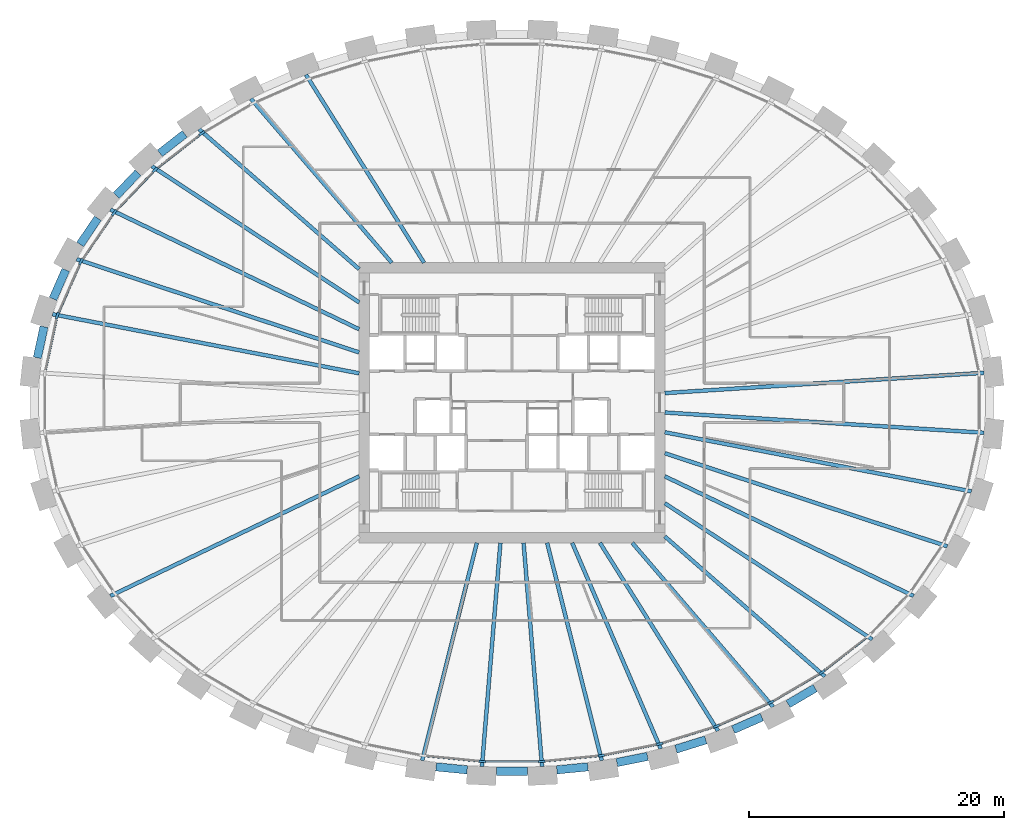
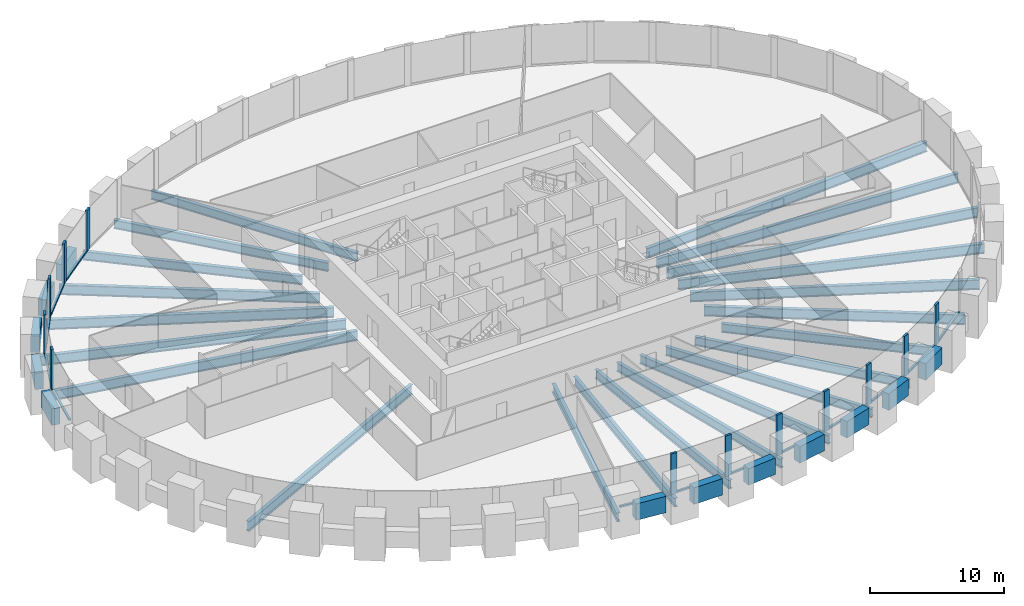
# One storey, part 2 of 10: 34 beams, 25 members, 1 element without a shape of its own.
"""IFC4 building model written with IfcOpenShell, lengths in metres."""

from ifc_helpers import new_model, si_unit, direction, frame, origin, origin_2d, place, context, subcontext, project, spatial, rectangle, i_section, extrude, source, transform, mapped, material, material_profile, profile_set, type_object, element, aggregate, save


model = new_model("IFC4")

# Units and contexts
model_context = context("Model", 3, precision=1e-05, world=origin(), true_north=direction((0.0, 1.0)))
body_context = subcontext(model_context, "Body", "Model", "MODEL_VIEW")
ifc_project = project(units=[si_unit("LENGTHUNIT", "METRE"), si_unit("AREAUNIT", "SQUARE_METRE"), si_unit("VOLUMEUNIT", "CUBIC_METRE"), si_unit("PLANEANGLEUNIT", "RADIAN"), si_unit("MASSUNIT", "GRAM", prefix="KILO")], contexts=[model_context])

# Site, building, storey
site_placement = place(None, origin())
site = spatial("IfcSite", under=ifc_project, at=site_placement, CompositionType="ELEMENT")
building_placement = place(site_placement, origin())
building = spatial("IfcBuilding", under=site, at=building_placement, Name="Embergate Tower", CompositionType="ELEMENT")
storey_placement = place(building_placement, frame((0.0, 0.0, 156.0)))
storey = spatial("IfcBuildingStorey", under=building, at=storey_placement, Name="L34", CompositionType="ELEMENT", Elevation=156.0)

# Beams
ifc_material_1 = material(Name="Concrete C70", Category="concrete")
ifc_material_profile_1 = material_profile(ifc_material_1, rectangle(XDim=0.64990234375, YDim=1.5, at=origin_2d()), Name="RC 650x1500")
ifc_profile_set_1 = profile_set([ifc_material_profile_1], Name="Concrete C70")
beam_type_1 = type_object("IfcBeamType", Name="Spandrel beam RC 650x1500 C70", PredefinedType="BEAM", material=ifc_profile_set_1)
shared_shape_1 = source(origin(), body_context, "Body", "SweptSolid", [
    extrude(rectangle(XDim=0.64990234375, YDim=1.5, at=origin_2d()), origin(), (0.0, 0.0, 1.0), 2.490966796875),
])
beam_1_placement = place(storey_placement, frame((-36.748046875, 5.968017578125, 0.0), z_axis=(-0.210720345789, -0.977546385534, 0.0), x_axis=(0.977546385534, -0.210720345789, 0.0)))
element("IfcBeam", 1, at=beam_1_placement, inside=storey, type_object=beam_type_1, Name="SPN-L34-20", PredefinedType="BEAM", context=body_context, shape_type="MappedRepresentation", body=[
    mapped(shared_shape_1, transform((0.0, 0.0, 0.0))),
])
shared_shape_2 = source(origin(), body_context, "Body", "SweptSolid", [
    extrude(rectangle(XDim=0.64990234375, YDim=1.5, at=origin_2d()), origin(), (0.0, 0.0, 1.0), 2.48828125),
])
beam_2_placement = place(storey_placement, frame((-35.0419921875, 10.43505859375, 0.0), z_axis=(-0.401472379967, -0.91587113074, 0.0), x_axis=(0.91587113074, -0.401472379967, 0.0)))
element("IfcBeam", 2, at=beam_2_placement, inside=storey, type_object=beam_type_1, Name="SPN-L34-19", PredefinedType="BEAM", context=body_context, shape_type="MappedRepresentation", body=[
    mapped(shared_shape_2, transform((0.0, 0.0, 0.0))),
])
shared_shape_3 = source(origin(), body_context, "Body", "SweptSolid", [
    extrude(rectangle(XDim=0.64990234375, YDim=1.5, at=origin_2d()), origin(), (0.0, 0.0, 1.0), 2.4775390625),
])
beam_3_placement = place(storey_placement, frame((-32.51806640625, 14.486083984375, 0.0), z_axis=(-0.562159078618, -0.827029123022, 0.0), x_axis=(0.827029123022, -0.562159078618, 0.0)))
element("IfcBeam", 3, at=beam_3_placement, inside=storey, type_object=beam_type_1, Name="SPN-L34-18", PredefinedType="BEAM", context=body_context, shape_type="MappedRepresentation", body=[
    mapped(shared_shape_3, transform((0.0, 0.0, 0.0))),
])
shared_shape_4 = source(origin(), body_context, "Body", "SweptSolid", [
    extrude(rectangle(XDim=0.64990234375, YDim=1.5, at=origin_2d()), origin(), (0.0, 0.0, 1.0), 2.473388671875),
])
beam_4_placement = place(storey_placement, frame((-29.364990234375, 18.06494140625, 0.0), z_axis=(-0.69012823406, -0.723687101276, 0.0), x_axis=(0.723687101276, -0.69012823406, 0.0)))
element("IfcBeam", 4, at=beam_4_placement, inside=storey, type_object=beam_type_1, Name="SPN-L34-17", PredefinedType="BEAM", context=body_context, shape_type="MappedRepresentation", body=[
    mapped(shared_shape_4, transform((0.0, 0.0, 0.0))),
])
shared_shape_5 = source(origin(), body_context, "Body", "SweptSolid", [
    extrude(rectangle(XDim=0.64990234375, YDim=1.5, at=origin_2d()), origin(), (0.0, 0.0, 1.0), 2.466552734375),
])
beam_5_placement = place(storey_placement, frame((-25.702880859375, 21.112060546875, 0.0), z_axis=(-0.788172909908, -0.615453868367, 0.0), x_axis=(0.615453868367, -0.788172909908, 0.0)))
element("IfcBeam", 5, at=beam_5_placement, inside=storey, type_object=beam_type_1, Name="SPN-L34-16", PredefinedType="BEAM", context=body_context, shape_type="MappedRepresentation", body=[
    mapped(shared_shape_5, transform((0.0, 0.0, 0.0))),
])
shared_shape_6 = source(origin(), body_context, "Body", "SweptSolid", [
    extrude(rectangle(XDim=0.64990234375, YDim=1.5, at=origin_2d()), origin(), (0.0, 0.0, 1.0), 2.46142578125),
])
beam_6_placement = place(storey_placement, frame((21.678955078125, -23.652099609375, 0.0), z_axis=(0.86214832468, 0.506655964389, 0.0), x_axis=(-0.506655964389, 0.86214832468, 0.0)))
element("IfcBeam", 6, at=beam_6_placement, inside=storey, type_object=beam_type_1, Name="SPN-L34-37", PredefinedType="BEAM", context=body_context, shape_type="MappedRepresentation", body=[
    mapped(shared_shape_6, transform((0.0, 0.0, 0.0))),
])
shared_shape_7 = source(origin(), body_context, "Body", "SweptSolid", [
    extrude(rectangle(XDim=0.64990234375, YDim=1.5, at=origin_2d()), origin(), (0.0, 0.0, 1.0), 2.456787109375),
])
beam_7_placement = place(storey_placement, frame((17.3701171875, -25.6640625, 0.0), z_axis=(0.916257660854, 0.40058943936, 0.0), x_axis=(-0.40058943936, 0.916257660854, 0.0)))
element("IfcBeam", 7, at=beam_7_placement, inside=storey, type_object=beam_type_1, Name="SPN-L34-36", PredefinedType="BEAM", context=body_context, shape_type="MappedRepresentation", body=[
    mapped(shared_shape_7, transform((0.0, 0.0, 0.0))),
])
shared_shape_8 = source(origin(), body_context, "Body", "SweptSolid", [
    extrude(rectangle(XDim=0.64990234375, YDim=1.5, at=origin_2d()), origin(), (0.0, 0.0, 1.0), 2.4541015625),
])
beam_8_placement = place(storey_placement, frame((12.8720703125, -27.197998046875, 0.0), z_axis=(0.954736297307, 0.29745353016, 0.0), x_axis=(-0.29745353016, 0.954736297307, 0.0)))
element("IfcBeam", 8, at=beam_8_placement, inside=storey, type_object=beam_type_1, Name="SPN-L34-35", PredefinedType="BEAM", context=body_context, shape_type="MappedRepresentation", body=[
    mapped(shared_shape_8, transform((0.0, 0.0, 0.0))),
])
shared_shape_9 = source(origin(), body_context, "Body", "SweptSolid", [
    extrude(rectangle(XDim=0.64990234375, YDim=1.5, at=origin_2d()), origin(), (0.0, 0.0, 1.0), 2.453125),
])
beam_9_placement = place(storey_placement, frame((8.238037109375, -28.2490234375, 0.0), z_axis=(0.980431102511, 0.196862523679, 0.0), x_axis=(-0.196862523679, 0.980431102511, 0.0)))
element("IfcBeam", 9, at=beam_9_placement, inside=storey, type_object=beam_type_1, Name="SPN-L34-34", PredefinedType="BEAM", context=body_context, shape_type="MappedRepresentation", body=[
    mapped(shared_shape_9, transform((0.0, 0.0, 0.0))),
])
shared_shape_10 = source(origin(), body_context, "Body", "SweptSolid", [
    extrude(rectangle(XDim=0.64990234375, YDim=1.5, at=origin_2d()), origin(), (0.0, 0.0, 1.0), 2.45166015625),
])
for number, where, z_axis, x_axis, name in (
    (10, (-5.962890625, -28.587890625, 0.0), (0.995197569904, -0.097886653113, 0.0), (0.097886653113, 0.995197569904, 0.0), "SPN-L34-31"),
    (11, (3.52294921875, -28.827880859375, 0.0), (0.995197569904, 0.097886653113, 0.0), (-0.097886653113, 0.995197569904, 0.0), "SPN-L34-33"),
):
    element("IfcBeam", number, at=place(storey_placement, frame(where, z_axis=z_axis, x_axis=x_axis)), inside=storey, type_object=beam_type_1, Name=name, PredefinedType="BEAM", context=body_context, shape_type="MappedRepresentation", body=[
        mapped(shared_shape_10, transform((0.0, 0.0, 0.0))),
    ])
shared_shape_11 = source(origin(), body_context, "Body", "SweptSolid", [
    extrude(rectangle(XDim=0.64990234375, YDim=1.5, at=origin_2d()), origin(), (0.0, 0.0, 1.0), 2.4521484375),
])
beam_10_placement = place(storey_placement, frame((-1.22607421875, -28.94091796875, 0.0), z_axis=(1.0, 0.0, 0.0), x_axis=(0.0, 1.0, 0.0)))
element("IfcBeam", 12, at=beam_10_placement, inside=storey, type_object=beam_type_1, Name="SPN-L34-32", PredefinedType="BEAM", context=body_context, shape_type="MappedRepresentation", body=[
    mapped(shared_shape_11, transform((0.0, 0.0, 0.0))),
])
ifc_material_2 = material(Name="Steel Q355B", Category="steel")
ifc_material_profile_2 = material_profile(ifc_material_2, i_section(OverallWidth=0.300048828125, OverallDepth=0.89990234375, WebThickness=0.01611328125, FlangeThickness=0.028076171875, FilletRadius=0.028076171875, at=origin_2d()), Name="HN 900x300x16x28")
ifc_profile_set_2 = profile_set([ifc_material_profile_2], Name="Steel Q355 grade B")
beam_type_2 = type_object("IfcBeamType", Name="Radial girder HN 900x300x16x28", PredefinedType="BEAM", material=ifc_profile_set_2)
shared_shape_12 = source(origin(), body_context, "Body", "SweptSolid", [
    extrude(i_section(OverallWidth=0.300048828125, OverallDepth=0.89990234375, WebThickness=0.01611328125, FlangeThickness=0.028076171875, FilletRadius=0.028076171875, at=origin_2d()), origin(), (0.0, 0.0, 1.0), 25.12158203125),
])
for number, where, z_axis, x_axis, name in (
    (13, (37.071044921875, 2.35498046875, -0.64990234375), (-0.9979874177, -0.063412255217, 0.0), (0.063412255217, -0.9979874177, 0.0), "GIR-L34-00"),
    (14, (37.071044921875, -2.35498046875, -0.64990234375), (-0.9979874177, 0.063412255217, 0.0), (-0.063412255217, -0.9979874177, 0.0), "GIR-L34-43"),
):
    element("IfcBeam", number, at=place(storey_placement, frame(where, z_axis=z_axis, x_axis=x_axis)), inside=storey, type_object=beam_type_2, Name=name, PredefinedType="BEAM", context=body_context, shape_type="MappedRepresentation", body=[
        mapped(shared_shape_12, transform((0.0, 0.0, 0.0))),
    ])
shared_shape_13 = source(origin(), body_context, "Body", "SweptSolid", [
    extrude(i_section(OverallWidth=0.300048828125, OverallDepth=0.89990234375, WebThickness=0.01611328125, FlangeThickness=0.028076171875, FilletRadius=0.028076171875, at=origin_2d()), origin(), (0.0, 0.0, 1.0), 24.52392578125),
])
for number, where, z_axis, x_axis, name in (
    (15, (-36.080078125, 6.958984375, -0.64990234375), (0.981906046022, -0.189368732333, 0.0), (0.189368732333, 0.981906046022, 0.0), "GIR-L34-20"),
    (16, (36.080078125, -6.958984375, -0.64990234375), (-0.981906046022, 0.189368732333, 0.0), (-0.189368732333, -0.981906046022, 0.0), "GIR-L34-42"),
):
    element("IfcBeam", number, at=place(storey_placement, frame(where, z_axis=z_axis, x_axis=x_axis)), inside=storey, type_object=beam_type_2, Name=name, PredefinedType="BEAM", context=body_context, shape_type="MappedRepresentation", body=[
        mapped(shared_shape_13, transform((0.0, 0.0, 0.0))),
    ])
shared_shape_14 = source(origin(), body_context, "Body", "SweptSolid", [
    extrude(i_section(OverallWidth=0.300048828125, OverallDepth=0.89990234375, WebThickness=0.01611328125, FlangeThickness=0.028076171875, FilletRadius=0.028076171875, at=origin_2d()), origin(), (0.0, 0.0, 1.0), 23.36328125),
])
for number, where, z_axis, x_axis, name in (
    (17, (-34.18798828125, 11.27490234375, -0.64990234375), (0.949694119995, -0.313178987877, 0.0), (0.313178987877, 0.949694119995, 0.0), "GIR-L34-19"),
    (18, (34.18798828125, -11.27490234375, -0.64990234375), (-0.949694119995, 0.313178987877, 0.0), (-0.313178987877, -0.949694119995, 0.0), "GIR-L34-41"),
):
    element("IfcBeam", number, at=place(storey_placement, frame(where, z_axis=z_axis, x_axis=x_axis)), inside=storey, type_object=beam_type_2, Name=name, PredefinedType="BEAM", context=body_context, shape_type="MappedRepresentation", body=[
        mapped(shared_shape_14, transform((0.0, 0.0, 0.0))),
    ])
shared_shape_15 = source(origin(), body_context, "Body", "SweptSolid", [
    extrude(i_section(OverallWidth=0.300048828125, OverallDepth=0.89990234375, WebThickness=0.01611328125, FlangeThickness=0.028076171875, FilletRadius=0.028076171875, at=origin_2d()), origin(), (0.0, 0.0, 1.0), 21.680419921875),
])
for number, where, z_axis, x_axis, name in (
    (19, (-31.537109375, 15.172119140625, -0.64990234375), (0.90113839793, -0.433531530315, 0.0), (0.433531530315, 0.90113839793, 0.0), "GIR-L34-18"),
    (20, (-31.537109375, -15.172119140625, -0.64990234375), (0.90113839793, 0.433531530315, 0.0), (-0.433531530315, 0.90113839793, 0.0), "GIR-L34-25"),
    (21, (31.537109375, -15.172119140625, -0.64990234375), (-0.90113839793, 0.433531530315, 0.0), (-0.433531530315, -0.90113839793, 0.0), "GIR-L34-40"),
):
    element("IfcBeam", number, at=place(storey_placement, frame(where, z_axis=z_axis, x_axis=x_axis)), inside=storey, type_object=beam_type_2, Name=name, PredefinedType="BEAM", context=body_context, shape_type="MappedRepresentation", body=[
        mapped(shared_shape_15, transform((0.0, 0.0, 0.0))),
    ])
shared_shape_16 = source(origin(), body_context, "Body", "SweptSolid", [
    extrude(i_section(OverallWidth=0.300048828125, OverallDepth=0.89990234375, WebThickness=0.01611328125, FlangeThickness=0.028076171875, FilletRadius=0.028076171875, at=origin_2d()), origin(), (0.0, 0.0, 1.0), 19.484130859375),
])
for number, where, z_axis, x_axis, name in (
    (22, (-28.283935546875, 18.5830078125, -0.64990234375), (0.835750168369, -0.549109876137, 0.0), (0.549109876137, 0.835750168369, 0.0), "GIR-L34-17"),
    (23, (28.283935546875, -18.5830078125, -0.64990234375), (-0.835750168369, 0.549109876137, 0.0), (-0.549109876137, -0.835750168369, 0.0), "GIR-L34-39"),
):
    element("IfcBeam", number, at=place(storey_placement, frame(where, z_axis=z_axis, x_axis=x_axis)), inside=storey, type_object=beam_type_2, Name=name, PredefinedType="BEAM", context=body_context, shape_type="MappedRepresentation", body=[
        mapped(shared_shape_16, transform((0.0, 0.0, 0.0))),
    ])
ifc_material_profile_3 = material_profile(ifc_material_2, i_section(OverallWidth=0.300048828125, OverallDepth=0.800048828125, WebThickness=0.013916015625, FlangeThickness=0.02587890625, FilletRadius=0.028076171875, at=origin_2d()), Name="HN 800x300x14x26")
ifc_profile_set_3 = profile_set([ifc_material_profile_3], Name="Steel Q355 grade B")
beam_type_3 = type_object("IfcBeamType", Name="Radial girder HN 800x300x14x26", PredefinedType="BEAM", material=ifc_profile_set_3)
shared_shape_17 = source(origin(), body_context, "Body", "SweptSolid", [
    extrude(i_section(OverallWidth=0.300048828125, OverallDepth=0.800048828125, WebThickness=0.013916015625, FlangeThickness=0.02587890625, FilletRadius=0.028076171875, at=origin_2d()), origin(), (0.0, 0.0, 1.0), 16.6953125),
])
for number, where, z_axis, x_axis, name in (
    (24, (-24.56689453125, 21.485107421875, -0.60009765625), (0.752719804108, -0.658341018397, 0.0), (0.658341018397, 0.752719804108, 0.0), "GIR-L34-16"),
    (25, (24.56689453125, -21.485107421875, -0.60009765625), (-0.752719804108, 0.658341018397, 0.0), (-0.658341018397, -0.752719804108, 0.0), "GIR-L34-38"),
):
    element("IfcBeam", number, at=place(storey_placement, frame(where, z_axis=z_axis, x_axis=x_axis)), inside=storey, type_object=beam_type_3, Name=name, PredefinedType="BEAM", context=body_context, shape_type="MappedRepresentation", body=[
        mapped(shared_shape_17, transform((0.0, 0.0, 0.0))),
    ])
shared_shape_18 = source(origin(), body_context, "Body", "SweptSolid", [
    extrude(i_section(OverallWidth=0.300048828125, OverallDepth=0.800048828125, WebThickness=0.013916015625, FlangeThickness=0.02587890625, FilletRadius=0.028076171875, at=origin_2d()), origin(), (0.0, 0.0, 1.0), 16.970458984375),
])
for number, where, z_axis, x_axis, name in (
    (26, (-20.501953125, 23.875, -0.60009765625), (0.651477073616, -0.758668321833, 0.0), (0.758668321833, 0.651477073616, 0.0), "GIR-L34-15"),
    (27, (20.501953125, -23.875, -0.60009765625), (-0.651477073616, 0.758668321833, 0.0), (-0.758668321833, -0.651477073616, 0.0), "GIR-L34-37"),
):
    element("IfcBeam", number, at=place(storey_placement, frame(where, z_axis=z_axis, x_axis=x_axis)), inside=storey, type_object=beam_type_3, Name=name, PredefinedType="BEAM", context=body_context, shape_type="MappedRepresentation", body=[
        mapped(shared_shape_18, transform((0.0, 0.0, 0.0))),
    ])
shared_shape_19 = source(origin(), body_context, "Body", "SweptSolid", [
    extrude(i_section(OverallWidth=0.300048828125, OverallDepth=0.800048828125, WebThickness=0.013916015625, FlangeThickness=0.02587890625, FilletRadius=0.028076171875, at=origin_2d()), origin(), (0.0, 0.0, 1.0), 17.433837890625),
])
for number, where, z_axis, x_axis, name in (
    (28, (-16.179931640625, 25.763916015625, -0.60009765625), (0.531834233156, -0.846848480216, 0.0), (0.846848480216, 0.531834233156, 0.0), "GIR-L34-14"),
    (29, (16.179931640625, -25.763916015625, -0.60009765625), (-0.531834233156, 0.846848480216, 0.0), (-0.846848480216, -0.531834233156, 0.0), "GIR-L34-36"),
):
    element("IfcBeam", number, at=place(storey_placement, frame(where, z_axis=z_axis, x_axis=x_axis)), inside=storey, type_object=beam_type_3, Name=name, PredefinedType="BEAM", context=body_context, shape_type="MappedRepresentation", body=[
        mapped(shared_shape_19, transform((0.0, 0.0, 0.0))),
    ])
shared_shape_20 = source(origin(), body_context, "Body", "SweptSolid", [
    extrude(i_section(OverallWidth=0.300048828125, OverallDepth=0.800048828125, WebThickness=0.013916015625, FlangeThickness=0.02587890625, FilletRadius=0.028076171875, at=origin_2d()), origin(), (0.0, 0.0, 1.0), 17.59619140625),
])
beam_11_placement = place(storey_placement, frame((11.677001953125, -27.166015625, -0.60009765625), z_axis=(-0.394912057755, 0.918718926898, 0.0), x_axis=(-0.918718926898, -0.394912057755, 0.0)))
element("IfcBeam", 30, at=beam_11_placement, inside=storey, type_object=beam_type_3, Name="GIR-L34-35", PredefinedType="BEAM", context=body_context, shape_type="MappedRepresentation", body=[
    mapped(shared_shape_20, transform((0.0, 0.0, 0.0))),
])
shared_shape_21 = source(origin(), body_context, "Body", "SweptSolid", [
    extrude(i_section(OverallWidth=0.300048828125, OverallDepth=0.800048828125, WebThickness=0.013916015625, FlangeThickness=0.02587890625, FilletRadius=0.028076171875, at=origin_2d()), origin(), (0.0, 0.0, 1.0), 17.624267578125),
])
for number, where, z_axis, x_axis, name in (
    (31, (-7.052001953125, -28.093994140625, -0.60009765625), (0.24347096124, 0.969908186909, 0.0), (-0.969908186909, 0.24347096124, 0.0), "GIR-L34-31"),
    (32, (7.052001953125, -28.093994140625, -0.60009765625), (-0.24347096124, 0.969908186909, 0.0), (-0.969908186909, -0.24347096124, 0.0), "GIR-L34-34"),
):
    element("IfcBeam", number, at=place(storey_placement, frame(where, z_axis=z_axis, x_axis=x_axis)), inside=storey, type_object=beam_type_3, Name=name, PredefinedType="BEAM", context=body_context, shape_type="MappedRepresentation", body=[
        mapped(shared_shape_21, transform((0.0, 0.0, 0.0))),
    ])
shared_shape_22 = source(origin(), body_context, "Body", "SweptSolid", [
    extrude(i_section(OverallWidth=0.300048828125, OverallDepth=0.800048828125, WebThickness=0.013916015625, FlangeThickness=0.02587890625, FilletRadius=0.028076171875, at=origin_2d()), origin(), (0.0, 0.0, 1.0), 17.61572265625),
])
for number, where, z_axis, x_axis, name in (
    (33, (-2.35888671875, -28.555908203125, -0.60009765625), (0.0823102465, 0.996606754603, 0.0), (-0.996606754603, 0.0823102465, 0.0), "GIR-L34-32"),
    (34, (2.35888671875, -28.555908203125, -0.60009765625), (-0.0823102465, 0.996606754603, 0.0), (-0.996606754603, -0.0823102465, 0.0), "GIR-L34-33"),
):
    element("IfcBeam", number, at=place(storey_placement, frame(where, z_axis=z_axis, x_axis=x_axis)), inside=storey, type_object=beam_type_3, Name=name, PredefinedType="BEAM", context=body_context, shape_type="MappedRepresentation", body=[
        mapped(shared_shape_22, transform((0.0, 0.0, 0.0))),
    ])

# Curtain wall, members
ifc_material_3 = material(Name="Aluminium and glass", Category="aluminium")
curtain_wall_type = type_object("IfcCurtainWallType", Name="Recessed office glazing", PredefinedType="NOTDEFINED", material=ifc_material_3)
curtain_wall_placement = place(storey_placement, origin())
curtain_wall = element("IfcCurtainWall", 35, at=curtain_wall_placement, inside=storey, type_object=curtain_wall_type, Name="Recessed office glazing ring", ObjectType="RECESSED OFFICE GLAZING", PredefinedType="USERDEFINED")
ifc_material_4 = material(Name="Aluminium, thermally broken", Category="aluminium")
ifc_material_profile_4 = material_profile(ifc_material_4, rectangle(XDim=0.179931640625, YDim=0.52001953125, at=origin_2d()), Name="AL 520x180")
ifc_profile_set_4 = profile_set([ifc_material_profile_4], Name="Aluminium, thermally broken")
member_type_1 = type_object("IfcMemberType", Name="Office mullion", PredefinedType="MULLION", material=ifc_profile_set_4)
shared_shape_23 = source(origin(), body_context, "Body", "SweptSolid", [
    extrude(rectangle(XDim=0.179931640625, YDim=0.52001953125, at=origin_2d()), origin(), (0.0, 0.0, 1.0), 3.699951171875),
])
member_1_placement = place(storey_placement, frame((-24.3486328125, 21.161376953125, 0.0), z_axis=(0.0, 0.0, 1.0), x_axis=(0.562217618544, -0.826989328467, 0.0)))
member_1 = element("IfcMember", 36, at=member_1_placement, type_object=member_type_1, Name="CW mullion 17", PredefinedType="MULLION", context=body_context, shape_type="MappedRepresentation", body=[
    mapped(shared_shape_23, transform((0.0, 0.0, 0.0))),
])
member_2_placement = place(storey_placement, frame((-28.023193359375, 18.29345703125, 0.0), z_axis=(0.0, 0.0, 1.0), x_axis=(0.671226533956, -0.741252278319, 0.0)))
member_2 = element("IfcMember", 37, at=member_2_placement, type_object=member_type_1, Name="CW mullion 18", PredefinedType="MULLION", context=body_context, shape_type="MappedRepresentation", body=[
    mapped(shared_shape_23, transform((0.0, 0.0, 0.0))),
])
member_3_placement = place(storey_placement, frame((-31.23486328125, 14.92578125, 0.0), z_axis=(0.0, 0.0, 1.0), x_axis=(0.777872564355, -0.628422050555, 0.0)))
member_3 = element("IfcMember", 38, at=member_3_placement, type_object=member_type_1, Name="CW mullion 19", PredefinedType="MULLION", context=body_context, shape_type="MappedRepresentation", body=[
    mapped(shared_shape_23, transform((0.0, 0.0, 0.0))),
])
member_4_placement = place(storey_placement, frame((-33.846923828125, 11.084716796875, 0.0), z_axis=(0.0, 0.0, 1.0), x_axis=(0.875001895832, -0.484119491748, 0.0)))
member_4 = element("IfcMember", 39, at=member_4_placement, type_object=member_type_1, Name="CW mullion 20", PredefinedType="MULLION", context=body_context, shape_type="MappedRepresentation", body=[
    mapped(shared_shape_23, transform((0.0, 0.0, 0.0))),
])
member_5_placement = place(storey_placement, frame((-35.708984375, 6.8388671875, 0.0), z_axis=(0.0, 0.0, 1.0), x_axis=(0.951498334951, -0.307653894149, 0.0)))
member_5 = element("IfcMember", 40, at=member_5_placement, type_object=member_type_1, Name="CW mullion 21", PredefinedType="MULLION", context=body_context, shape_type="MappedRepresentation", body=[
    mapped(shared_shape_23, transform((0.0, 0.0, 0.0))),
])
member_6_placement = place(storey_placement, frame((-2.33935546875, -28.166015625, 0.0), z_axis=(0.0, 0.0, 1.0), x_axis=(0.048971796621, 0.998800161762, 0.0)))
member_6 = element("IfcMember", 41, at=member_6_placement, type_object=member_type_1, Name="CW mullion 33", PredefinedType="MULLION", context=body_context, shape_type="MappedRepresentation", body=[
    mapped(shared_shape_23, transform((0.0, 0.0, 0.0))),
])
member_7_placement = place(storey_placement, frame((2.33935546875, -28.166015625, 0.0), z_axis=(0.0, 0.0, 1.0), x_axis=(-0.048971796621, 0.998800161762, 0.0)))
member_7 = element("IfcMember", 42, at=member_7_placement, type_object=member_type_1, Name="CW mullion 34", PredefinedType="MULLION", context=body_context, shape_type="MappedRepresentation", body=[
    mapped(shared_shape_23, transform((0.0, 0.0, 0.0))),
])
member_8_placement = place(storey_placement, frame((6.99560546875, -27.708251953125, 0.0), z_axis=(0.0, 0.0, 1.0), x_axis=(-0.147412382818, 0.989075118174, 0.0)))
member_8 = element("IfcMember", 43, at=member_8_placement, type_object=member_type_1, Name="CW mullion 35", PredefinedType="MULLION", context=body_context, shape_type="MappedRepresentation", body=[
    mapped(shared_shape_23, transform((0.0, 0.0, 0.0))),
])
member_9_placement = place(storey_placement, frame((11.581298828125, -26.78857421875, 0.0), z_axis=(0.0, 0.0, 1.0), x_axis=(-0.24731188137, 0.968935928394, 0.0)))
member_9 = element("IfcMember", 44, at=member_9_placement, type_object=member_type_1, Name="CW mullion 36", PredefinedType="MULLION", context=body_context, shape_type="MappedRepresentation", body=[
    mapped(shared_shape_23, transform((0.0, 0.0, 0.0))),
])
member_10_placement = place(storey_placement, frame((16.044921875, -25.3984375, 0.0), z_axis=(0.0, 0.0, 1.0), x_axis=(-0.349502682851, 0.936935363128, 0.0)))
member_10 = element("IfcMember", 45, at=member_10_placement, type_object=member_type_1, Name="CW mullion 37", PredefinedType="MULLION", context=body_context, shape_type="MappedRepresentation", body=[
    mapped(shared_shape_23, transform((0.0, 0.0, 0.0))),
])
member_11_placement = place(storey_placement, frame((20.3251953125, -23.52685546875, 0.0), z_axis=(0.0, 0.0, 1.0), x_axis=(-0.454511380526, 0.890740930334, 0.0)))
member_11 = element("IfcMember", 46, at=member_11_placement, type_object=member_type_1, Name="CW mullion 38", PredefinedType="MULLION", context=body_context, shape_type="MappedRepresentation", body=[
    mapped(shared_shape_23, transform((0.0, 0.0, 0.0))),
])
member_12_placement = place(storey_placement, frame((24.3486328125, -21.161376953125, 0.0), z_axis=(0.0, 0.0, 1.0), x_axis=(-0.562217618544, 0.826989328467, 0.0)))
member_12 = element("IfcMember", 47, at=member_12_placement, type_object=member_type_1, Name="CW mullion 39", PredefinedType="MULLION", context=body_context, shape_type="MappedRepresentation", body=[
    mapped(shared_shape_23, transform((0.0, 0.0, 0.0))),
])
ifc_material_profile_5 = material_profile(ifc_material_4, rectangle(XDim=0.179931640625, YDim=0.14990234375, at=origin_2d()), Name="AL 150x180")
ifc_profile_set_5 = profile_set([ifc_material_profile_5], Name="Aluminium, thermally broken")
member_type_2 = type_object("IfcMemberType", Name="Office sill transom", PredefinedType="USERDEFINED", material=ifc_profile_set_5)
shared_shape_24 = source(origin(), body_context, "Body", "SweptSolid", [
    extrude(rectangle(XDim=0.179931640625, YDim=0.14990234375, at=origin_2d()), origin(), (0.0, 0.0, 1.0), 4.109375),
])
member_13_placement = place(storey_placement, frame((-35.763916015625, 6.584716796875, 0.074951171875), z_axis=(-0.210377003976, -0.97762033336, 0.0), x_axis=(0.97762033336, -0.210377003976, 0.0)))
member_13 = element("IfcMember", 48, at=member_13_placement, type_object=member_type_2, Name="CW transom 21.1", ObjectType="TRANSOM", PredefinedType="USERDEFINED", context=body_context, shape_type="MappedRepresentation", body=[
    mapped(shared_shape_24, transform((0.0, 0.0, 0.0))),
])
shared_shape_25 = source(origin(), body_context, "Body", "SweptSolid", [
    extrude(rectangle(XDim=0.179931640625, YDim=0.14990234375, at=origin_2d()), origin(), (0.0, 0.0, 1.0), 4.1162109375),
])
member_14_placement = place(storey_placement, frame((-33.951416015625, 10.8466796875, 0.074951171875), z_axis=(-0.401593425876, -0.915818060694, 0.0), x_axis=(0.915818060694, -0.401593425876, 0.0)))
member_14 = element("IfcMember", 49, at=member_14_placement, type_object=member_type_2, Name="CW transom 20.1", ObjectType="TRANSOM", PredefinedType="USERDEFINED", context=body_context, shape_type="MappedRepresentation", body=[
    mapped(shared_shape_25, transform((0.0, 0.0, 0.0))),
])
shared_shape_26 = source(origin(), body_context, "Body", "SweptSolid", [
    extrude(rectangle(XDim=0.179931640625, YDim=0.14990234375, at=origin_2d()), origin(), (0.0, 0.0, 1.0), 4.124755859375),
])
member_15_placement = place(storey_placement, frame((-31.381103515625, 14.710693359375, 0.074951171875), z_axis=(-0.562339161446, -0.826906686092, 0.0), x_axis=(0.826906686092, -0.562339161446, 0.0)))
member_15 = element("IfcMember", 50, at=member_15_placement, type_object=member_type_2, Name="CW transom 19.1", ObjectType="TRANSOM", PredefinedType="USERDEFINED", context=body_context, shape_type="MappedRepresentation", body=[
    mapped(shared_shape_26, transform((0.0, 0.0, 0.0))),
])
shared_shape_27 = source(origin(), body_context, "Body", "SweptSolid", [
    extrude(rectangle(XDim=0.179931640625, YDim=0.14990234375, at=origin_2d()), origin(), (0.0, 0.0, 1.0), 4.133544921875),
])
member_16_placement = place(storey_placement, frame((-28.20263671875, 18.105224609375, 0.074951171875), z_axis=(-0.690134325915, -0.723681291864, 0.0), x_axis=(0.723681291864, -0.690134325915, 0.0)))
member_16 = element("IfcMember", 51, at=member_16_placement, type_object=member_type_2, Name="CW transom 18.1", ObjectType="TRANSOM", PredefinedType="USERDEFINED", context=body_context, shape_type="MappedRepresentation", body=[
    mapped(shared_shape_27, transform((0.0, 0.0, 0.0))),
])
shared_shape_28 = source(origin(), body_context, "Body", "SweptSolid", [
    extrude(rectangle(XDim=0.179931640625, YDim=0.14990234375, at=origin_2d()), origin(), (0.0, 0.0, 1.0), 4.14111328125),
])
member_17_placement = place(storey_placement, frame((-24.5537109375, 21.00146484375, 0.074951171875), z_axis=(-0.788312993649, -0.615274429864, 0.0), x_axis=(0.615274429864, -0.788312993649, 0.0)))
member_17 = element("IfcMember", 52, at=member_17_placement, type_object=member_type_2, Name="CW transom 17.1", ObjectType="TRANSOM", PredefinedType="USERDEFINED", context=body_context, shape_type="MappedRepresentation", body=[
    mapped(shared_shape_28, transform((0.0, 0.0, 0.0))),
])
member_18_placement = place(storey_placement, frame((24.5537109375, -21.00146484375, 0.074951171875), z_axis=(0.788312993649, 0.615274429864, 0.0), x_axis=(-0.615274429864, 0.788312993649, 0.0)))
member_18 = element("IfcMember", 53, at=member_18_placement, type_object=member_type_2, Name="CW transom 39.1", ObjectType="TRANSOM", PredefinedType="USERDEFINED", context=body_context, shape_type="MappedRepresentation", body=[
    mapped(shared_shape_28, transform((0.0, 0.0, 0.0))),
])
shared_shape_29 = source(origin(), body_context, "Body", "SweptSolid", [
    extrude(rectangle(XDim=0.179931640625, YDim=0.14990234375, at=origin_2d()), origin(), (0.0, 0.0, 1.0), 4.147216796875),
])
member_19_placement = place(storey_placement, frame((20.54931640625, -23.39501953125, 0.074951171875), z_axis=(0.862065845043, 0.506796289263, 0.0), x_axis=(-0.506796289263, 0.862065845043, 0.0)))
member_19 = element("IfcMember", 54, at=member_19_placement, type_object=member_type_2, Name="CW transom 38.1", ObjectType="TRANSOM", PredefinedType="USERDEFINED", context=body_context, shape_type="MappedRepresentation", body=[
    mapped(shared_shape_29, transform((0.0, 0.0, 0.0))),
])
shared_shape_30 = source(origin(), body_context, "Body", "SweptSolid", [
    extrude(rectangle(XDim=0.179931640625, YDim=0.14990234375, at=origin_2d()), origin(), (0.0, 0.0, 1.0), 4.151611328125),
])
member_20_placement = place(storey_placement, frame((16.283203125, -25.294189453125, 0.074951171875), z_axis=(0.916236944251, 0.400636820562, 0.0), x_axis=(-0.400636820562, 0.916236944251, 0.0)))
member_20 = element("IfcMember", 55, at=member_20_placement, type_object=member_type_2, Name="CW transom 37.1", ObjectType="TRANSOM", PredefinedType="USERDEFINED", context=body_context, shape_type="MappedRepresentation", body=[
    mapped(shared_shape_30, transform((0.0, 0.0, 0.0))),
])
shared_shape_31 = source(origin(), body_context, "Body", "SweptSolid", [
    extrude(rectangle(XDim=0.179931640625, YDim=0.14990234375, at=origin_2d()), origin(), (0.0, 0.0, 1.0), 4.155029296875),
])
member_21_placement = place(storey_placement, frame((11.82958984375, -26.711181640625, 0.074951171875), z_axis=(0.95476079815, 0.29737487842, 0.0), x_axis=(-0.29737487842, 0.95476079815, 0.0)))
member_21 = element("IfcMember", 56, at=member_21_placement, type_object=member_type_2, Name="CW transom 36.1", ObjectType="TRANSOM", PredefinedType="USERDEFINED", context=body_context, shape_type="MappedRepresentation", body=[
    mapped(shared_shape_31, transform((0.0, 0.0, 0.0))),
])
shared_shape_32 = source(origin(), body_context, "Body", "SweptSolid", [
    extrude(rectangle(XDim=0.179931640625, YDim=0.14990234375, at=origin_2d()), origin(), (0.0, 0.0, 1.0), 4.156982421875),
])
member_22_placement = place(storey_placement, frame((7.25048828125, -27.656982421875, 0.074951171875), z_axis=(0.98047889782, 0.196624339617, 0.0), x_axis=(-0.196624339617, 0.98047889782, 0.0)))
member_22 = element("IfcMember", 57, at=member_22_placement, type_object=member_type_2, Name="CW transom 35.1", ObjectType="TRANSOM", PredefinedType="USERDEFINED", context=body_context, shape_type="MappedRepresentation", body=[
    mapped(shared_shape_32, transform((0.0, 0.0, 0.0))),
])
shared_shape_33 = source(origin(), body_context, "Body", "SweptSolid", [
    extrude(rectangle(XDim=0.179931640625, YDim=0.14990234375, at=origin_2d()), origin(), (0.0, 0.0, 1.0), 4.15869140625),
])
member_23_placement = place(storey_placement, frame((-6.73681640625, -27.733642578125, 0.074951171875), z_axis=(0.995205470566, -0.097806295066, 0.0), x_axis=(0.097806295066, 0.995205470566, 0.0)))
member_23 = element("IfcMember", 58, at=member_23_placement, type_object=member_type_2, Name="CW transom 32.1", ObjectType="TRANSOM", PredefinedType="USERDEFINED", context=body_context, shape_type="MappedRepresentation", body=[
    mapped(shared_shape_33, transform((0.0, 0.0, 0.0))),
])
member_24_placement = place(storey_placement, frame((-2.079345703125, -28.166015625, 0.074951171875), z_axis=(1.0, 0.0, 0.0), x_axis=(0.0, 1.0, 0.0)))
member_24 = element("IfcMember", 59, at=member_24_placement, type_object=member_type_2, Name="CW transom 33.1", ObjectType="TRANSOM", PredefinedType="USERDEFINED", context=body_context, shape_type="MappedRepresentation", body=[
    mapped(shared_shape_33, transform((0.0, 0.0, 0.0))),
])
member_25_placement = place(storey_placement, frame((2.59814453125, -28.140380859375, 0.074951171875), z_axis=(0.995205470566, 0.097806295066, 0.0), x_axis=(-0.097806295066, 0.995205470566, 0.0)))
member_25 = element("IfcMember", 60, at=member_25_placement, type_object=member_type_2, Name="CW transom 34.1", ObjectType="TRANSOM", PredefinedType="USERDEFINED", context=body_context, shape_type="MappedRepresentation", body=[
    mapped(shared_shape_33, transform((0.0, 0.0, 0.0))),
])
aggregate(curtain_wall, [member_1, member_2, member_3, member_4, member_5, member_6, member_7, member_8, member_9, member_10, member_11, member_12, member_17, member_16, member_15, member_14, member_13, member_23, member_24, member_25, member_22, member_21, member_20, member_19, member_18])

save(model, "model.ifc")
